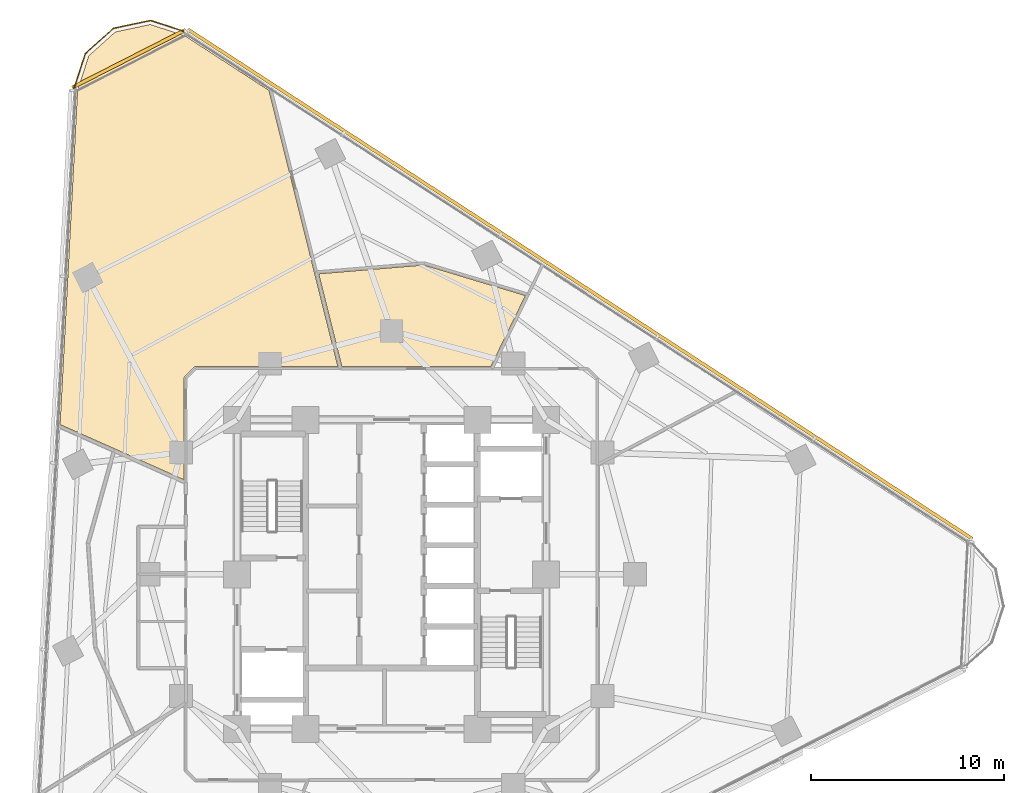
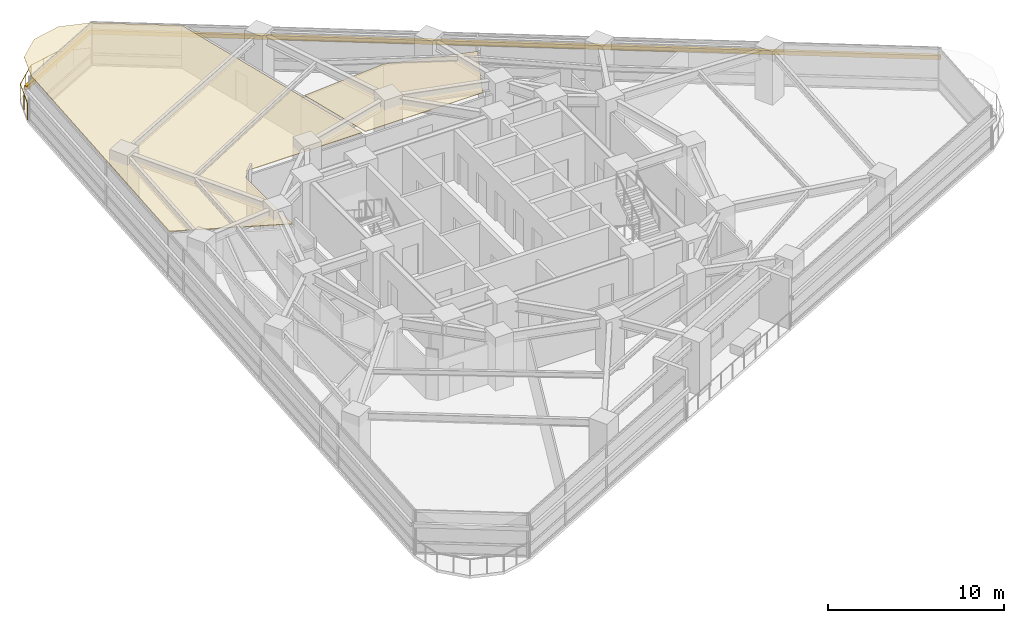
# One storey, part 14 of 14: 2 coverings, 2 shading devices, 1 railing.
"""IFC4 building model written with IfcOpenShell, lengths in metres."""

from ifc_helpers import new_model, si_unit, direction, frame, origin, origin_2d, place, context, subcontext, project, spatial, polyline, rectangle, circle, outline, extrude, material, layer, layer_set, type_object, element, save


model = new_model("IFC4")

# Units and contexts
model_context = context("Model", 3, precision=1e-05, world=origin(), true_north=direction((0.0, 1.0)))
body_context = subcontext(model_context, "Body", "Model", "MODEL_VIEW")
ifc_project = project(units=[si_unit("LENGTHUNIT", "METRE"), si_unit("AREAUNIT", "SQUARE_METRE"), si_unit("VOLUMEUNIT", "CUBIC_METRE"), si_unit("PLANEANGLEUNIT", "RADIAN"), si_unit("MASSUNIT", "GRAM", prefix="KILO")], contexts=[model_context])

# Site, building, storey
site_placement = place(None, origin())
site = spatial("IfcSite", under=ifc_project, at=site_placement, CompositionType="ELEMENT")
building_placement = place(site_placement, origin())
building = spatial("IfcBuilding", under=site, at=building_placement, Name="Terralouvre Media Tower", CompositionType="ELEMENT")
storey_placement = place(building_placement, frame((0.0, 0.0, 131.0)))
storey = spatial("IfcBuildingStorey", under=building, at=storey_placement, Name="L33", CompositionType="ELEMENT", Elevation=131.0)

# Coverings
ifc_material_1 = material(Name="Perforated aluminium acoustic ceiling baffle", Category="aluminium")
ifc_layer_1 = layer(ifc_material_1, 0.0400390625, Name="Perforated Acoustic Metal Tile Ceiling CL-AC1")
ifc_layer_set_1 = layer_set([ifc_layer_1], Name="Perforated aluminium acoustic ceiling baffle")
covering_type = type_object("IfcCoveringType", Name="Perforated Acoustic Metal Tile Ceiling CL-AC1", PredefinedType="CEILING", material=ifc_layer_set_1)
covering_1_placement = place(storey_placement, frame((0.0, 0.0, 2.97998046875), z_axis=(0.0, 0.0, 1.0), x_axis=(0.891006524188, 0.45399049974, 0.0)))
element("IfcCovering", 1, at=covering_1_placement, inside=storey, type_object=covering_type, Name="L33 Chamber Rehearsal Creative Workshop 7 Acoustic Ceiling", PredefinedType="CEILING", context=body_context, shape_type="SweptSolid", body=[
    extrude(outline(polyline([(8.767333984375, 13.5009765625), (3.6982421875, 15.57470703125), (2.58447265625, 10.748291015625), (9.45263671875, 7.248779296875), (12.72412109375, 9.713134765625), (8.767333984375, 13.5009765625)])), origin(), (0.0, 0.0, 1.0), 0.0400390625),
])
covering_2_placement = place(storey_placement, frame((0.0, 0.0, 2.97998046875), z_axis=(0.0, 0.0, 1.0), x_axis=(0.891006524188, 0.45399049974, 0.0)))
element("IfcCovering", 2, at=covering_2_placement, inside=storey, type_object=covering_type, Name="L33 Salon Tea and Pastry Kitchen 9 Acoustic Ceiling", PredefinedType="CEILING", context=body_context, shape_type="SweptSolid", body=[
    extrude(outline(polyline([(-7.35546875, 9.24267578125), (-4.97021484375, 13.924072265625), (-4.96533203125, 13.9326171875), (-4.959716796875, 13.940673828125), (-4.953369140625, 13.947998046875), (-4.946044921875, 13.954833984375), (-4.9384765625, 13.960693359375), (-4.929931640625, 13.966064453125), (-4.92138671875, 13.97021484375), (-4.912109375, 13.973876953125), (-4.239501953125, 14.1923828125), (-4.230224609375, 14.19482421875), (-4.220458984375, 14.196533203125), (-4.210693359375, 14.197265625), (-4.200927734375, 14.197021484375), (-4.191162109375, 14.195556640625), (-4.181640625, 14.193603515625), (-4.17236328125, 14.1904296875), (-4.163330078125, 14.186279296875), (2.400634765625, 10.841796875), (3.52978515625, 15.734130859375), (5.7158203125, 25.203857421875), (3.11474609375, 29.708984375), (1.7861328125, 31.03759765625), (0.0, 31.515869140625), (-1.7861328125, 31.037353515625), (-3.11474609375, 29.708740234375), (-11.778076171875, 14.703125), (-9.823974609375, 12.291015625), (-7.35546875, 9.24267578125)])), origin(), (0.0, 0.0, 1.0), 0.0400390625),
])

# Railing
ifc_material_2 = material(Name="Stainless steel 316 handrail and balustrade", Category="steel")
ifc_layer_2 = layer(ifc_material_2, 0.06005859375, Name="Roof Edge Safety Guardrail GR-ROOF1")
ifc_layer_set_2 = layer_set([ifc_layer_2], Name="Stainless steel 316 handrail and balustrade")
railing_type = type_object("IfcRailingType", Name="Roof Edge Safety Guardrail GR-ROOF1", PredefinedType="GUARDRAIL", material=ifc_layer_set_2)
railing_placement = place(storey_placement, frame((-10.611328125, 28.071044921875, 0.0)))
element("IfcRailing", 3, at=railing_placement, inside=storey, type_object=railing_type, Name="L33 Wind-Corner Perimeter Safety Guardrail C2", PredefinedType="GUARDRAIL", context=body_context, shape_type="SweptSolid", body=[
    extrude(circle(Radius=0.02099609375, at=origin_2d()), frame((0.0, 0.0, 1.12890625), z_axis=(-0.950979313277, 0.309254499918, 0.0), x_axis=(-0.309254499918, -0.950979313277, 0.0)), (0.0, 0.0, 1.0), 1.966552734375),
    extrude(circle(Radius=0.02099609375, at=origin_2d()), frame((-1.8701171875, 0.608154296875, 1.12890625), z_axis=(-0.9781553792, -0.207875092647, 0.0), x_axis=(0.207875092647, -0.9781553792, 0.0)), (0.0, 0.0, 1.0), 1.966064453125),
    extrude(circle(Radius=0.02099609375, at=origin_2d()), frame((-3.793212890625, 0.199462890625, 1.12890625), z_axis=(-0.743084172505, -0.66919796217, 0.0), x_axis=(0.66919796217, -0.743084172505, 0.0)), (0.0, 0.0, 1.0), 1.966064453125),
    extrude(circle(Radius=0.02099609375, at=origin_2d()), frame((-5.254150390625, -1.1162109375, 1.12890625), z_axis=(-0.308768829513, -0.951137114154, 0.0), x_axis=(0.951137114154, -0.308768829513, 0.0)), (0.0, 0.0, 1.0), 1.966552734375),
    extrude(circle(Radius=0.01904296875, at=origin_2d()), origin(), (0.0, 0.0, 1.0), 1.10791015625),
    extrude(circle(Radius=0.01904296875, at=origin_2d()), frame((-0.93505859375, 0.30419921875, 0.0)), (0.0, 0.0, 1.0), 1.10791015625),
    extrude(circle(Radius=0.01904296875, at=origin_2d()), frame((-1.8701171875, 0.608154296875, 0.0)), (0.0, 0.0, 1.0), 1.10791015625),
    extrude(circle(Radius=0.01904296875, at=origin_2d()), frame((-2.83154296875, 0.40380859375, 0.0)), (0.0, 0.0, 1.0), 1.10791015625),
    extrude(circle(Radius=0.01904296875, at=origin_2d()), frame((-3.793212890625, 0.199462890625, 0.0)), (0.0, 0.0, 1.0), 1.10791015625),
    extrude(circle(Radius=0.01904296875, at=origin_2d()), frame((-4.523681640625, -0.45849609375, 0.0)), (0.0, 0.0, 1.0), 1.10791015625),
    extrude(circle(Radius=0.01904296875, at=origin_2d()), frame((-5.254150390625, -1.1162109375, 0.0)), (0.0, 0.0, 1.0), 1.10791015625),
    extrude(circle(Radius=0.01904296875, at=origin_2d()), frame((-5.5576171875, -2.05126953125, 0.0)), (0.0, 0.0, 1.0), 1.10791015625),
    extrude(circle(Radius=0.01904296875, at=origin_2d()), frame((-5.861328125, -2.986572265625, 0.0)), (0.0, 0.0, 1.0), 1.10791015625),
])

# Shading devices
ifc_material_3 = material(Name="Extruded terracotta baguette sunshade louvres", Category="masonry")
shading_device_type = type_object("IfcShadingDeviceType", Name="Terracotta Baguette Sunshade Louvre Screen TB-LV1", PredefinedType="USERDEFINED", material=ifc_material_3)
shading_device_1_placement = place(storey_placement, frame((9.755615234375, 15.022216796875, 2.02392578125), z_axis=(0.0, 0.0, 1.0), x_axis=(-0.838670588944, 0.544639002681, 0.0)))
element("IfcShadingDevice", 4, at=shading_device_1_placement, inside=storey, type_object=shading_device_type, Name="CW-L33-F1 Terracotta Baguette Sunshade Louvre", ObjectType="BAGUETTE", PredefinedType="USERDEFINED", context=body_context, shape_type="SweptSolid", body=[
    extrude(rectangle(XDim=48.39990234375, YDim=0.179931640625, at=origin_2d()), origin(), (0.0, 0.0, 1.0), 0.280029296875),
])
shading_device_2_placement = place(storey_placement, frame((-13.603271484375, 26.697998046875, 2.02392578125), z_axis=(0.0, 0.0, 1.0), x_axis=(-0.891006600184, -0.45399035059, 0.0)))
element("IfcShadingDevice", 5, at=shading_device_2_placement, inside=storey, type_object=shading_device_type, Name="CW-L33-C2 Terracotta Baguette Sunshade Louvre", ObjectType="BAGUETTE", PredefinedType="USERDEFINED", context=body_context, shape_type="SweptSolid", body=[
    extrude(rectangle(XDim=6.581787109375, YDim=0.179931640625, at=origin_2d()), origin(), (0.0, 0.0, 1.0), 0.280029296875),
])

save(model, "model.ifc")
